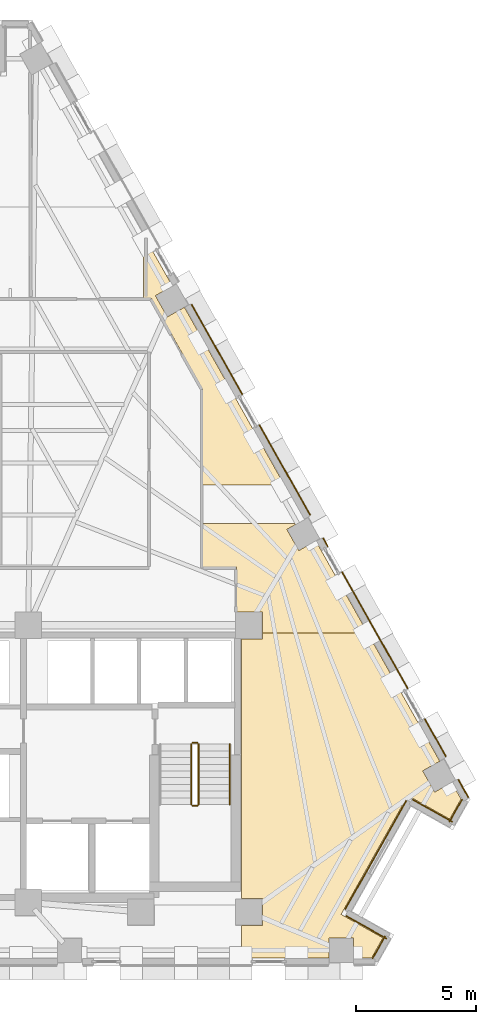
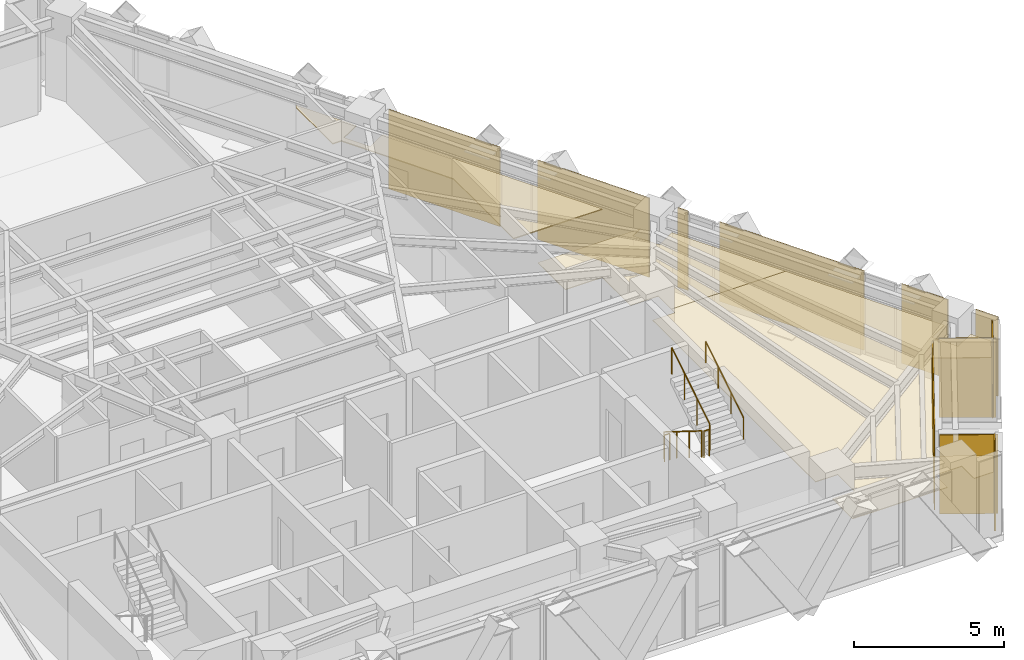
# One storey, part 12 of 13: 14 coverings, 5 railings.
"""IFC4 building model written with IfcOpenShell, lengths in metres."""

from ifc_helpers import new_model, si_unit, direction, frame, origin, origin_2d, place, context, subcontext, project, spatial, polyline, circle, outline, extrude, material, layer, layer_set, type_object, element, save


model = new_model("IFC4")

# Units and contexts
model_context = context("Model", 3, precision=1e-05, world=origin(), true_north=direction((0.0, 1.0)))
body_context = subcontext(model_context, "Body", "Model", "MODEL_VIEW")
ifc_project = project(units=[si_unit("LENGTHUNIT", "METRE"), si_unit("AREAUNIT", "SQUARE_METRE"), si_unit("VOLUMEUNIT", "CUBIC_METRE"), si_unit("PLANEANGLEUNIT", "RADIAN"), si_unit("MASSUNIT", "GRAM", prefix="KILO")], contexts=[model_context])

# Site, building, storey
site_placement = place(None, origin())
site = spatial("IfcSite", under=ifc_project, at=site_placement, CompositionType="ELEMENT")
building_placement = place(site_placement, origin())
building = spatial("IfcBuilding", under=site, at=building_placement, Name="Quenlor Broadcast Tower", CompositionType="ELEMENT")
storey_placement = place(building_placement, frame((0.0, 0.0, 161.5)))
storey = spatial("IfcBuildingStorey", under=building, at=storey_placement, Name="L44", CompositionType="ELEMENT", Elevation=161.5)

# Coverings
ifc_material_1 = material(Name="Acoustic Mineral Fibre Board", Category="other")
ifc_layer_1 = layer(ifc_material_1, 0.02490234375)
ifc_layer_set_1 = layer_set([ifc_layer_1], Name="Acoustic Perforated Mineral Tile Ceiling 25")
covering_type_1 = type_object("IfcCoveringType", Name="Acoustic Perforated Mineral Tile Ceiling 25", PredefinedType="CEILING", material=ifc_layer_set_1)
covering_1_placement = place(storey_placement, frame((0.0, 0.0, 2.375)))
element("IfcCovering", 1, at=covering_1_placement, inside=storey, type_object=covering_type_1, Name="L44 Acoustic Ceiling L44-36-2", PredefinedType="CEILING", context=body_context, shape_type="SweptSolid", body=[
    extrude(outline(polyline([(13.508056640625, -4.241943359375), (12.43994140625, -4.241943359375), (12.43994140625, -2.3701171875), (11.014892578125, -2.3701171875), (11.014892578125, -0.560302734375), (14.952880859375, -0.560302734375), (14.5322265625, -0.797119140625), (15.0302734375, -1.6826171875), (15.7431640625, -1.281494140625), (17.90234375, -5.1201171875), (13.508056640625, -5.1201171875), (13.508056640625, -4.241943359375)])), origin(), (0.0, 0.0, 1.0), 0.02490234375),
])
covering_2_placement = place(storey_placement, frame((0.0, 0.0, 2.375)))
element("IfcCovering", 2, at=covering_2_placement, inside=storey, type_object=covering_type_1, Name="L44 Acoustic Ceiling L44-36-4", PredefinedType="CEILING", context=body_context, shape_type="SweptSolid", body=[
    extrude(outline(polyline([(13.508056640625, -17.30810546875), (13.508056640625, -16.19189453125), (12.64990234375, -16.19189453125), (12.64990234375, -5.35791015625), (13.508056640625, -5.35791015625), (13.508056640625, -5.1201171875), (17.90234375, -5.1201171875), (20.90869140625, -10.46484375), (20.19580078125, -10.86572265625), (20.694091796875, -11.751220703125), (21.406982421875, -11.350341796875), (21.794921875, -12.0400390625), (21.323486328125, -12.878173828125), (19.580322265625, -11.8974609375), (16.795654296875, -16.847900390625), (18.538818359375, -17.82861328125), (18.071044921875, -18.659912109375), (17.31640625, -18.659912109375), (17.31640625, -17.842041015625), (16.30029296875, -17.842041015625), (16.30029296875, -18.659912109375), (12.64990234375, -18.659912109375), (12.64990234375, -17.30810546875), (13.508056640625, -17.30810546875)])), origin(), (0.0, 0.0, 1.0), 0.02490234375),
])
ifc_material_2 = material(Name="Acoustic Gypsum Board", Category="other")
ifc_layer_2 = layer(ifc_material_2, 0.0400390625)
ifc_layer_set_2 = layer_set([ifc_layer_2], Name="Broadcast Studio Spring Isolated Ceiling 40")
covering_type_2 = type_object("IfcCoveringType", Name="Broadcast Studio Spring Isolated Ceiling 40", PredefinedType="CEILING", material=ifc_layer_set_2)
covering_3_placement = place(storey_placement, frame((0.0, 0.0, 2.360107421875)))
element("IfcCovering", 3, at=covering_3_placement, inside=storey, type_object=covering_type_2, Name="L44 Acoustic Ceiling L44-31", PredefinedType="CEILING", context=body_context, shape_type="SweptSolid", body=[
    extrude(outline(polyline([(8.550048828125, 8.830078125), (8.550048828125, 11.23974609375), (8.552734375, 11.268798828125), (8.561279296875, 11.296875), (8.574951171875, 11.322509765625), (8.59326171875, 11.34521484375), (8.61572265625, 11.364013671875), (9.76416015625, 9.347900390625), (9.05126953125, 8.947021484375), (9.54931640625, 8.0615234375), (10.26220703125, 8.46240234375), (14.42626953125, 1.06005859375), (11.014892578125, 1.06005859375), (11.014892578125, 5.043701171875), (10.64013671875, 5.7099609375), (8.88525390625, 8.830078125), (8.550048828125, 8.830078125)])), origin(), (0.0, 0.0, 1.0), 0.039794921875),
])
ifc_material_3 = material(Name="Architectural Terracotta Ceramic", Category="masonry")
ifc_layer_3 = layer(ifc_material_3, 0.044921875)
ifc_layer_set_3 = layer_set([ifc_layer_3], Name="Fluted Terracotta Rainscreen Cladding Panel")
covering_type_3 = type_object("IfcCoveringType", Name="Fluted Terracotta Rainscreen Cladding Panel", PredefinedType="CLADDING", material=ifc_layer_set_3)
covering_4_placement = place(storey_placement, frame((0.0, 0.0, 0.02001953125)))
element("IfcCovering", 4, at=covering_4_placement, inside=storey, type_object=covering_type_3, Name="L44 Terracotta Rainscreen Cladding L44-SHD-NES1", PredefinedType="CLADDING", context=body_context, shape_type="SweptSolid", body=[
    extrude(outline(polyline([(21.66162109375, -11.23779296875), (22.0859375, -11.992431640625), (22.125244140625, -11.970458984375), (21.70068359375, -11.2158203125), (21.66162109375, -11.23779296875)])), origin(), (0.0, 0.0, 1.0), 3.2099609375),
])
covering_5_placement = place(storey_placement, frame((0.0, 0.0, 0.02001953125)))
element("IfcCovering", 5, at=covering_5_placement, inside=storey, type_object=covering_type_3, Name="L44 Terracotta Rainscreen Cladding L44-NEC-SP1", PredefinedType="CLADDING", context=body_context, shape_type="SweptSolid", body=[
    extrude(outline(polyline([(16.025146484375, -1.1767578125), (16.22119140625, -1.525390625), (16.260498046875, -1.50341796875), (16.064453125, -1.15478515625), (16.025146484375, -1.1767578125)])), origin(), (0.0, 0.0, 1.0), 3.2099609375),
])
covering_6_placement = place(storey_placement, frame((0.0, 0.0, 0.02001953125)))
element("IfcCovering", 6, at=covering_6_placement, inside=storey, type_object=covering_type_3, Name="L44 Terracotta Rainscreen Cladding L44-NEC-SP2", PredefinedType="CLADDING", context=body_context, shape_type="SweptSolid", body=[
    extrude(outline(polyline([(16.81591796875, -2.582763671875), (19.55322265625, -7.44921875), (19.592529296875, -7.42724609375), (16.855224609375, -2.560791015625), (16.81591796875, -2.582763671875)])), origin(), (0.0, 0.0, 1.0), 3.2099609375),
])
covering_7_placement = place(storey_placement, frame((0.0, 0.0, 0.02001953125)))
element("IfcCovering", 7, at=covering_7_placement, inside=storey, type_object=covering_type_3, Name="L44 Terracotta Rainscreen Cladding L44-NEC-SP3", PredefinedType="CLADDING", context=body_context, shape_type="SweptSolid", body=[
    extrude(outline(polyline([(20.26416015625, -8.712646484375), (21.14453125, -10.278076171875), (21.183837890625, -10.256103515625), (20.30322265625, -8.690673828125), (20.26416015625, -8.712646484375)])), origin(), (0.0, 0.0, 1.0), 3.2099609375),
])
covering_8_placement = place(storey_placement, frame((0.0, 0.0, 0.02001953125)))
element("IfcCovering", 8, at=covering_8_placement, inside=storey, type_object=covering_type_3, Name="L44 Terracotta Rainscreen Cladding L44-NE-SP1", PredefinedType="CLADDING", context=body_context, shape_type="SweptSolid", body=[
    extrude(outline(polyline([(10.541748046875, 8.571533203125), (12.656982421875, 4.810791015625), (12.6962890625, 4.832763671875), (10.580810546875, 8.593505859375), (10.541748046875, 8.571533203125)])), origin(), (0.0, 0.0, 1.0), 3.2099609375),
])
covering_9_placement = place(storey_placement, frame((0.0, 0.0, 0.02001953125)))
element("IfcCovering", 9, at=covering_9_placement, inside=storey, type_object=covering_type_3, Name="L44 Terracotta Rainscreen Cladding L44-NE-SP2", PredefinedType="CLADDING", context=body_context, shape_type="SweptSolid", body=[
    extrude(outline(polyline([(13.367919921875, 3.547119140625), (15.4833984375, -0.213623046875), (15.522705078125, -0.191650390625), (13.4072265625, 3.569091796875), (13.367919921875, 3.547119140625)])), origin(), (0.0, 0.0, 1.0), 3.2099609375),
])
covering_10_placement = place(storey_placement, frame((0.0, 0.0, 0.02001953125)))
element("IfcCovering", 10, at=covering_10_placement, inside=storey, type_object=covering_type_3, Name="L44 Terracotta Rainscreen Cladding L44-CNR-01", PredefinedType="CLADDING", context=body_context, shape_type="SweptSolid", body=[
    extrude(outline(polyline([(18.702880859375, -17.8427734375), (17.011962890625, -16.8916015625), (16.989990234375, -16.930908203125), (18.680908203125, -17.882080078125), (18.702880859375, -17.8427734375)])), origin(), (0.0, 0.0, 1.0), 3.2099609375),
])
covering_11_placement = place(storey_placement, frame((0.0, 0.0, 0.02001953125)))
element("IfcCovering", 11, at=covering_11_placement, inside=storey, type_object=covering_type_3, Name="L44 Terracotta Rainscreen Cladding L44-CNR-02", PredefinedType="CLADDING", context=body_context, shape_type="SweptSolid", body=[
    extrude(outline(polyline([(16.9775390625, -16.663330078125), (19.53662109375, -12.11376953125), (19.49755859375, -12.091796875), (16.938232421875, -16.641357421875), (16.9775390625, -16.663330078125)])), origin(), (0.0, 0.0, 1.0), 3.2099609375),
])
covering_12_placement = place(storey_placement, frame((0.0, 0.0, 0.02001953125)))
element("IfcCovering", 12, at=covering_12_placement, inside=storey, type_object=covering_type_3, Name="L44 Terracotta Rainscreen Cladding L44-CNR-03", PredefinedType="CLADDING", context=body_context, shape_type="SweptSolid", body=[
    extrude(outline(polyline([(19.764892578125, -12.079345703125), (21.4208984375, -13.010986328125), (21.443115234375, -12.9716796875), (19.787109375, -12.0400390625), (19.764892578125, -12.079345703125)])), origin(), (0.0, 0.0, 1.0), 3.2099609375),
])
covering_13_placement = place(storey_placement, frame((0.0, 0.0, 0.02001953125)))
element("IfcCovering", 13, at=covering_13_placement, inside=storey, type_object=covering_type_3, Name="L44 Terracotta Rainscreen Cladding L44-CNR-04", PredefinedType="CLADDING", context=body_context, shape_type="SweptSolid", body=[
    extrude(outline(polyline([(21.328857421875, -13.007080078125), (21.859619140625, -12.0634765625), (21.820556640625, -12.04150390625), (21.289794921875, -12.985107421875), (21.328857421875, -13.007080078125)])), origin(), (0.0, 0.0, 1.0), 3.2099609375),
])
covering_14_placement = place(storey_placement, frame((0.0, 0.0, 0.02001953125)))
element("IfcCovering", 14, at=covering_14_placement, inside=storey, type_object=covering_type_3, Name="L44 Terracotta Rainscreen Cladding L44-CNR-18", PredefinedType="CLADDING", context=body_context, shape_type="SweptSolid", body=[
    extrude(outline(polyline([(18.122802734375, -18.70654296875), (18.652099609375, -17.76611328125), (18.61279296875, -17.743896484375), (18.083740234375, -18.6845703125), (18.122802734375, -18.70654296875)])), origin(), (0.0, 0.0, 1.0), 3.2099609375),
])

# Railings
ifc_material_4 = material(Name="Anodised Aluminium", Category="aluminium")
railing_type_1 = type_object("IfcRailingType", Name="Stainless Aluminium Wall Handrail 900", PredefinedType="HANDRAIL", material=ifc_material_4)
railing_1_placement = place(storey_placement, frame((12.14990234375, -12.27001953125, 1.925048828125)))
element("IfcRailing", 15, at=railing_1_placement, inside=storey, type_object=railing_type_1, Name="L44 ST-2 stair handrail 2", PredefinedType="HANDRAIL", context=body_context, shape_type="SweptSolid", body=[
    extrude(circle(Radius=0.02392578125, at=origin_2d()), frame((0.0, 0.0, 0.8759765625), z_axis=(0.0, 0.848007534815, 0.529984170421), x_axis=(-1.0, 0.0, 0.0)), (0.0, 0.0, 1.0), 2.9716796875),
    extrude(circle(Radius=0.02099609375, at=origin_2d()), origin(), (0.0, 0.0, 1.0), 0.851806640625),
    extrude(circle(Radius=0.02099609375, at=origin_2d()), frame((0.0, 0.840087890625, 0.52490234375)), (0.0, 0.0, 1.0), 0.851806640625),
    extrude(circle(Radius=0.02099609375, at=origin_2d()), frame((0.0, 1.679931640625, 1.050048828125)), (0.0, 0.0, 1.0), 0.851806640625),
    extrude(circle(Radius=0.02099609375, at=origin_2d()), frame((0.0, 2.52001953125, 1.574951171875)), (0.0, 0.0, 1.0), 0.851806640625),
])
ifc_material_5 = material(Name="Steel S355", Category="steel")
railing_type_2 = type_object("IfcRailingType", Name="Tubular Steel S355 Stair Guardrail 1100", PredefinedType="BALUSTRADE", material=ifc_material_5)
railing_2_placement = place(storey_placement, frame((10.550048828125, -9.75, 0.175048828125)))
element("IfcRailing", 16, at=railing_2_placement, inside=storey, type_object=railing_type_2, Name="L44 ST-2 stair guard 1", PredefinedType="BALUSTRADE", context=body_context, shape_type="SweptSolid", body=[
    extrude(circle(Radius=0.02392578125, at=origin_2d()), frame((0.0, 0.0, 1.076171875), z_axis=(0.0, -0.848007534815, 0.529984170421), x_axis=(1.0, 0.0, 0.0)), (0.0, 0.0, 1.0), 2.9716796875),
    extrude(circle(Radius=0.02099609375, at=origin_2d()), origin(), (0.0, 0.0, 1.0), 1.052001953125),
    extrude(circle(Radius=0.02099609375, at=origin_2d()), frame((0.0, -0.840087890625, 0.52490234375)), (0.0, 0.0, 1.0), 1.052001953125),
    extrude(circle(Radius=0.02099609375, at=origin_2d()), frame((0.0, -1.679931640625, 1.050048828125)), (0.0, 0.0, 1.0), 1.052001953125),
    extrude(circle(Radius=0.02099609375, at=origin_2d()), frame((0.0, -2.52001953125, 1.574951171875)), (0.0, 0.0, 1.0), 1.052001953125),
])
railing_3_placement = place(storey_placement, frame((10.60009765625, -12.320068359375, 1.75)))
element("IfcRailing", 17, at=railing_3_placement, inside=storey, type_object=railing_type_2, Name="L44 ST-2 stair guard 2", PredefinedType="BALUSTRADE", context=body_context, shape_type="SweptSolid", body=[
    extrude(circle(Radius=0.02392578125, at=origin_2d()), frame((0.0, 0.0, 1.076171875), z_axis=(1.0, 0.0, 0.0), x_axis=(0.0, 1.0, 0.0)), (0.0, 0.0, 1.0), 0.199951171875),
    extrude(circle(Radius=0.02099609375, at=origin_2d()), origin(), (0.0, 0.0, 1.0), 1.052001953125),
    extrude(circle(Radius=0.02099609375, at=origin_2d()), frame((0.199951171875, 0.0, 0.0)), (0.0, 0.0, 1.0), 1.052001953125),
])
railing_4_placement = place(storey_placement, frame((10.85009765625, -12.27001953125, 1.925048828125)))
element("IfcRailing", 18, at=railing_4_placement, inside=storey, type_object=railing_type_2, Name="L44 ST-2 stair guard 3", PredefinedType="BALUSTRADE", context=body_context, shape_type="SweptSolid", body=[
    extrude(circle(Radius=0.02392578125, at=origin_2d()), frame((0.0, 0.0, 1.076171875), z_axis=(0.0, 0.848007534815, 0.529984170421), x_axis=(-1.0, 0.0, 0.0)), (0.0, 0.0, 1.0), 2.9716796875),
    extrude(circle(Radius=0.02099609375, at=origin_2d()), origin(), (0.0, 0.0, 1.0), 1.052001953125),
    extrude(circle(Radius=0.02099609375, at=origin_2d()), frame((0.0, 0.840087890625, 0.52490234375)), (0.0, 0.0, 1.0), 1.052001953125),
    extrude(circle(Radius=0.02099609375, at=origin_2d()), frame((0.0, 1.679931640625, 1.050048828125)), (0.0, 0.0, 1.0), 1.052001953125),
    extrude(circle(Radius=0.02099609375, at=origin_2d()), frame((0.0, 2.52001953125, 1.574951171875)), (0.0, 0.0, 1.0), 1.052001953125),
])
railing_5_placement = place(storey_placement, frame((10.60009765625, -9.699951171875, 0.0)))
element("IfcRailing", 19, at=railing_5_placement, inside=storey, type_object=railing_type_2, Name="L44 ST-2 stair guard 4", PredefinedType="BALUSTRADE", context=body_context, shape_type="SweptSolid", body=[
    extrude(circle(Radius=0.02392578125, at=origin_2d()), frame((0.0, 0.0, 1.076171875), z_axis=(1.0, 0.0, 0.0), x_axis=(0.0, 1.0, 0.0)), (0.0, 0.0, 1.0), 0.199951171875),
    extrude(circle(Radius=0.02099609375, at=origin_2d()), origin(), (0.0, 0.0, 1.0), 1.052001953125),
    extrude(circle(Radius=0.02099609375, at=origin_2d()), frame((0.199951171875, 0.0, 0.0)), (0.0, 0.0, 1.0), 1.052001953125),
])

save(model, "model.ifc")
